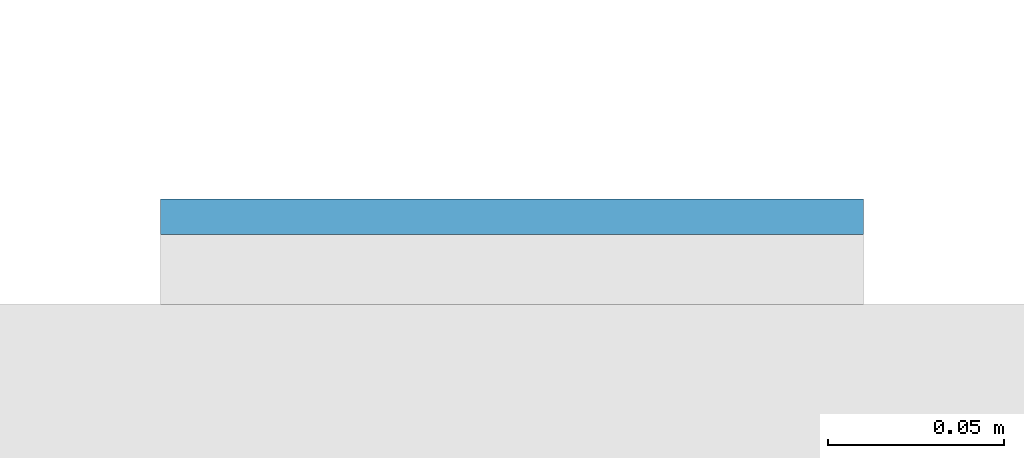
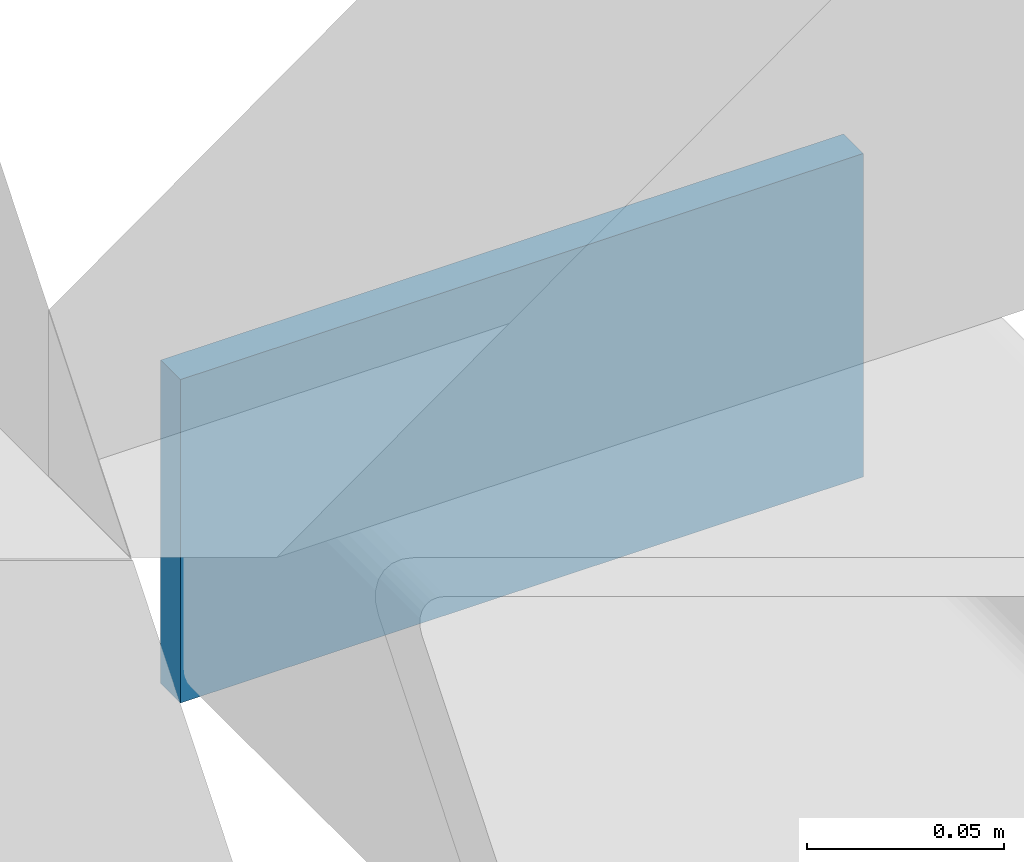
# One storey, part 11 of 21: 1 plate.
"""IFC4 building model written with IfcOpenShell, lengths in metres."""

from ifc_helpers import new_model, si_unit, direction, frame, origin, origin_2d, place, context, subcontext, project, spatial, rectangle, extrude, material, layer, layer_set, type_object, element, save


model = new_model("IFC4")

# Units and contexts
model_context = context("Model", 3, precision=1e-05, world=origin(), true_north=direction((0.0, 1.0)))
body_context = subcontext(model_context, "Body", "Model", "MODEL_VIEW")
ifc_project = project(units=[si_unit("LENGTHUNIT", "METRE"), si_unit("AREAUNIT", "SQUARE_METRE"), si_unit("VOLUMEUNIT", "CUBIC_METRE"), si_unit("PLANEANGLEUNIT", "RADIAN"), si_unit("MASSUNIT", "GRAM", prefix="KILO")], contexts=[model_context])

# Site, building, storey
site_placement = place(None, origin())
site = spatial("IfcSite", under=ifc_project, at=site_placement, CompositionType="ELEMENT")
building_placement = place(site_placement, origin())
building = spatial("IfcBuilding", under=site, at=building_placement, Name="Cleftline Residences", CompositionType="ELEMENT")
storey_placement = place(building_placement, frame((0.0, 0.0, 58.39990234375)))
storey = spatial("IfcBuildingStorey", under=building, at=storey_placement, Name="L14", CompositionType="ELEMENT", Elevation=58.39990234375)

# Plate
ifc_material = material(Name="Steel S355, hot-dip galvanised", Category="steel")
ifc_layer = layer(ifc_material, 0.010009765625)
ifc_layer_set = layer_set([ifc_layer], Name="BAGUETTE CARRIER END PLATE 200X100X10")
plate_type = type_object("IfcPlateType", Name="BAGUETTE CARRIER END PLATE 200X100X10", PredefinedType="USERDEFINED", material=ifc_layer_set)
plate_placement = place(storey_placement, frame((66.85009765625, 44.304931640625, -0.099853515625), z_axis=(0.0, 0.0, 1.0), x_axis=(1.0, 0.0, 0.0)))
element("IfcPlate", 1, at=plate_placement, inside=storey, type_object=plate_type, Name="Baguette carrier end plate", ObjectType="BAGUETTE CARRIER END PLATE", PredefinedType="USERDEFINED", context=body_context, shape_type="SweptSolid", body=[
    extrude(rectangle(XDim=0.199951171875, YDim=0.010009765625, at=origin_2d()), origin(), (0.0, 0.0, 1.0), 0.10009765625),
])

save(model, "model.ifc")
